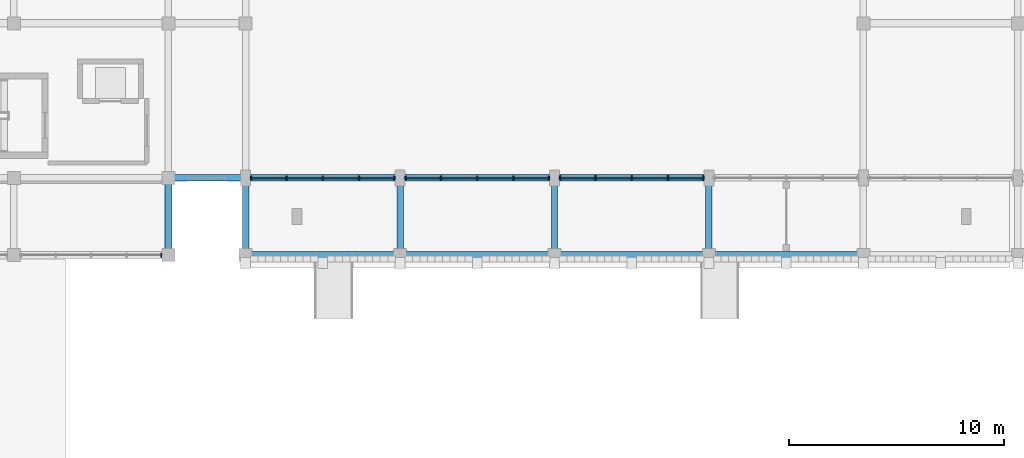
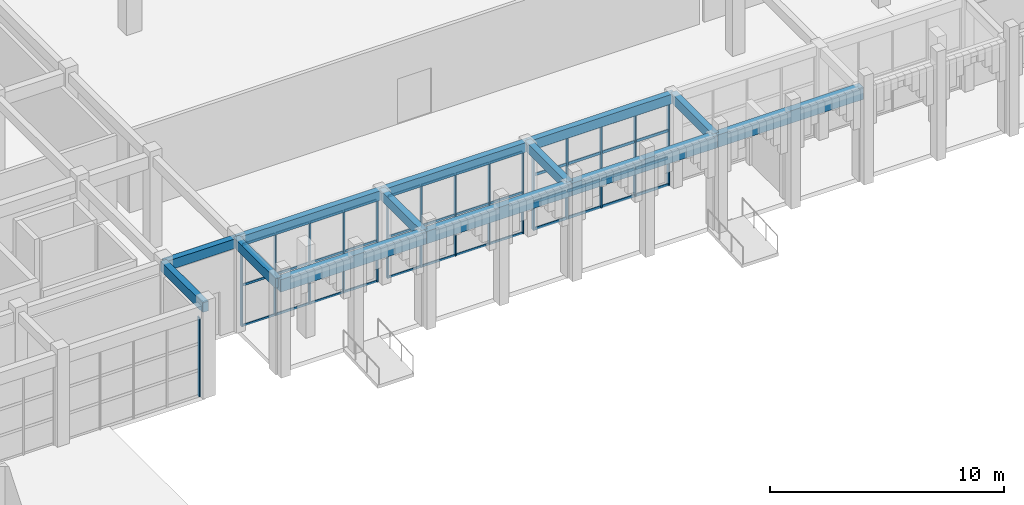
# One storey, part 12 of 72: 56 members, 13 beams, 4 elements without a shape of their own.
"""IFC4 building model written with IfcOpenShell, lengths in metres."""

from ifc_helpers import new_model, si_unit, direction, frame, origin, origin_2d, place, context, subcontext, project, spatial, rectangle, extrude, material, material_profile, profile_set, type_object, element, aggregate, save


model = new_model("IFC4")

# Units and contexts
model_context = context("Model", 3, precision=1e-05, world=origin(), true_north=direction((0.0, 1.0)))
body_context = subcontext(model_context, "Body", "Model", "MODEL_VIEW")
ifc_project = project(units=[si_unit("LENGTHUNIT", "METRE"), si_unit("AREAUNIT", "SQUARE_METRE"), si_unit("VOLUMEUNIT", "CUBIC_METRE"), si_unit("PLANEANGLEUNIT", "RADIAN"), si_unit("MASSUNIT", "GRAM", prefix="KILO")], contexts=[model_context])

# Site, building, storey
site_placement = place(None, origin())
site = spatial("IfcSite", under=ifc_project, at=site_placement, CompositionType="ELEMENT")
building_placement = place(site_placement, origin())
building = spatial("IfcBuilding", under=site, at=building_placement, Name="Nzembalo Square Collegiate School", CompositionType="ELEMENT")
storey_placement = place(building_placement, origin())
storey = spatial("IfcBuildingStorey", under=building, at=storey_placement, Name="L00", CompositionType="ELEMENT", Elevation=0.0)

# Beams
ifc_material_1 = material(Name="Concrete C35/45", Category="concrete")
ifc_material_profile_1 = material_profile(ifc_material_1, rectangle(XDim=0.35009765625, YDim=0.64990234375, at=origin_2d()), Name="RC 350x650")
ifc_profile_set_1 = profile_set([ifc_material_profile_1], Name="Concrete C35/45")
beam_type_1 = type_object("IfcBeamType", Name="B01", PredefinedType="BEAM", material=ifc_profile_set_1)
for number, where, z_axis, x_axis, name in (
    (1, (40.800048828125, 79.199951171875, 4.465087890625), (1.0, 0.0, 0.0), (0.0, 1.0, 0.0), "Beam B01 L00"),
    (2, (48.0, 79.199951171875, 4.465087890625), (1.0, 0.0, 0.0), (0.0, 1.0, 0.0), "Beam B01 L00"),
    (3, (55.199951171875, 79.199951171875, 4.465087890625), (1.0, 0.0, 0.0), (0.0, 1.0, 0.0), "Beam B01 L00"),
):
    element("IfcBeam", number, at=place(storey_placement, frame(where, z_axis=z_axis, x_axis=x_axis)), inside=storey, type_object=beam_type_1, Name=name, PredefinedType="BEAM", context=body_context, shape_type="SweptSolid", body=[
        extrude(rectangle(XDim=0.35009765625, YDim=0.64990234375, at=origin_2d()), origin(), (0.0, 0.0, 1.0), 7.199951171875),
    ])
beam_1_placement = place(storey_placement, frame((62.39990234375, 79.199951171875, 4.465087890625), z_axis=(1.0, 0.0, 0.0), x_axis=(0.0, 1.0, 0.0)))
element("IfcBeam", 4, at=beam_1_placement, inside=storey, type_object=beam_type_1, Name="Beam B01 L00", PredefinedType="BEAM", context=body_context, shape_type="SweptSolid", body=[
    extrude(rectangle(XDim=0.35009765625, YDim=0.64990234375, at=origin_2d()), origin(), (0.0, 0.0, 1.0), 7.2001953125),
])
ifc_material_2 = material(Name="Concrete C35/45", Category="concrete")
ifc_material_profile_2 = material_profile(ifc_material_2, rectangle(XDim=0.300048828125, YDim=0.5, at=origin_2d()), Name="RC 300x500")
ifc_profile_set_2 = profile_set([ifc_material_profile_2], Name="Concrete C35/45")
beam_type_2 = type_object("IfcBeamType", Name="B02", PredefinedType="BEAM", material=ifc_profile_set_2)
for number, where, z_axis, x_axis, name in (
    (5, (40.800048828125, 79.199951171875, 4.5400390625), (0.0, 1.0, 0.0), (-1.0, 0.0, 0.0), "Beam B02 L00"),
    (6, (48.0, 79.199951171875, 4.5400390625), (0.0, 1.0, 0.0), (-1.0, 0.0, 0.0), "Beam B02 L00"),
    (7, (55.199951171875, 79.199951171875, 4.5400390625), (0.0, 1.0, 0.0), (-1.0, 0.0, 0.0), "Beam B02 L00"),
    (8, (62.39990234375, 79.199951171875, 4.5400390625), (0.0, 1.0, 0.0), (-1.0, 0.0, 0.0), "Beam B02 L00"),
):
    element("IfcBeam", number, at=place(storey_placement, frame(where, z_axis=z_axis, x_axis=x_axis)), inside=storey, type_object=beam_type_2, Name=name, PredefinedType="BEAM", context=body_context, shape_type="SweptSolid", body=[
        extrude(rectangle(XDim=0.300048828125, YDim=0.5, at=origin_2d()), origin(), (0.0, 0.0, 1.0), 3.60009765625),
    ])
ifc_material_3 = material(Name="Concrete C35/45", Category="concrete")
ifc_material_profile_3 = material_profile(ifc_material_3, rectangle(XDim=0.300048828125, YDim=0.5, at=origin_2d()), Name="RC 300x500")
ifc_profile_set_3 = profile_set([ifc_material_profile_3], Name="Concrete C35/45")
beam_type_3 = type_object("IfcBeamType", Name="SP01", PredefinedType="SPANDREL", material=ifc_profile_set_3)
beam_2_placement = place(storey_placement, frame((37.199951171875, 82.800048828125, 4.5400390625), z_axis=(1.0, 0.0, 0.0), x_axis=(0.0, 1.0, 0.0)))
element("IfcBeam", 9, at=beam_2_placement, inside=storey, type_object=beam_type_3, Name="Beam SP01 L00", PredefinedType="SPANDREL", context=body_context, shape_type="SweptSolid", body=[
    extrude(rectangle(XDim=0.300048828125, YDim=0.5, at=origin_2d()), origin(), (0.0, 0.0, 1.0), 3.60009765625),
])
for number, where, z_axis, x_axis, name in (
    (10, (40.800048828125, 82.800048828125, 4.5400390625), (1.0, 0.0, 0.0), (0.0, 1.0, 0.0), "Beam SP01 L00"),
    (11, (48.0, 82.800048828125, 4.5400390625), (1.0, 0.0, 0.0), (0.0, 1.0, 0.0), "Beam SP01 L00"),
    (12, (55.199951171875, 82.800048828125, 4.5400390625), (1.0, 0.0, 0.0), (0.0, 1.0, 0.0), "Beam SP01 L00"),
):
    element("IfcBeam", number, at=place(storey_placement, frame(where, z_axis=z_axis, x_axis=x_axis)), inside=storey, type_object=beam_type_3, Name=name, PredefinedType="SPANDREL", context=body_context, shape_type="SweptSolid", body=[
        extrude(rectangle(XDim=0.300048828125, YDim=0.5, at=origin_2d()), origin(), (0.0, 0.0, 1.0), 7.199951171875),
    ])
beam_3_placement = place(storey_placement, frame((37.199951171875, 79.199951171875, 4.5400390625), z_axis=(0.0, 1.0, 0.0), x_axis=(-1.0, 0.0, 0.0)))
element("IfcBeam", 13, at=beam_3_placement, inside=storey, type_object=beam_type_3, Name="Beam SP01 L00", PredefinedType="SPANDREL", context=body_context, shape_type="SweptSolid", body=[
    extrude(rectangle(XDim=0.300048828125, YDim=0.5, at=origin_2d()), origin(), (0.0, 0.0, 1.0), 3.60009765625),
])

# Curtain wall, member
ifc_material_4 = material(Name="Aluminium 6060-T66", Category="aluminium")
curtain_wall_type_1 = type_object("IfcCurtainWallType", Name="CW-06", PredefinedType="USERDEFINED", material=ifc_material_4)
curtain_wall_1_placement = place(storey_placement, origin())
curtain_wall_1 = element("IfcCurtainWall", 14, at=curtain_wall_1_placement, inside=storey, type_object=curtain_wall_type_1, Name="Curtain wall CW-06 cw:L00:021", ObjectType="LANCET", PredefinedType="USERDEFINED")
ifc_material_5 = material(Name="Aluminium 6060-T66", Category="aluminium")
ifc_material_profile_4 = material_profile(ifc_material_5, rectangle(XDim=0.06005859375, YDim=0.179931640625, at=origin_2d()), Name="ALU M60x180")
ifc_profile_set_4 = profile_set([ifc_material_profile_4], Name="Aluminium 6060-T66")
member_type_1 = type_object("IfcMemberType", Name="ML01", PredefinedType="MULLION", material=ifc_profile_set_4)
member_1_placement = place(storey_placement, frame((36.867919921875, 79.199951171875, 0.0), z_axis=(0.0, 0.0, 1.0), x_axis=(1.0, 0.0, 0.0)))
member_1 = element("IfcMember", 15, at=member_1_placement, type_object=member_type_1, Name="ML01 mullion 5", PredefinedType="MULLION", context=body_context, shape_type="SweptSolid", body=[
    extrude(rectangle(XDim=0.06005859375, YDim=0.179931640625, at=origin_2d()), origin(), (0.0, 0.0, 1.0), 4.134033203125),
])
aggregate(curtain_wall_1, [member_1])

# Curtain wall, members
ifc_material_6 = material(Name="Aluminium 6060-T66", Category="aluminium")
curtain_wall_type_2 = type_object("IfcCurtainWallType", Name="CW-05", PredefinedType="USERDEFINED", material=ifc_material_6)
curtain_wall_2_placement = place(storey_placement, origin())
curtain_wall_2 = element("IfcCurtainWall", 16, at=curtain_wall_2_placement, inside=storey, type_object=curtain_wall_type_2, Name="Curtain wall CW-05 cw:L00:028", ObjectType="LANCET", PredefinedType="USERDEFINED")
member_2_placement = place(storey_placement, frame((55.45703125, 82.800048828125, 0.0), z_axis=(0.0, 0.0, 1.0), x_axis=(1.0, 0.0, 0.0)))
member_2 = element("IfcMember", 17, at=member_2_placement, type_object=member_type_1, Name="ML01 mullion 1", PredefinedType="MULLION", context=body_context, shape_type="SweptSolid", body=[
    extrude(rectangle(XDim=0.06005859375, YDim=0.179931640625, at=origin_2d()), origin(), (0.0, 0.0, 1.0), 4.283935546875),
])
member_3_placement = place(storey_placement, frame((57.113525390625, 82.800048828125, 0.0), z_axis=(0.0, 0.0, 1.0), x_axis=(1.0, 0.0, 0.0)))
member_3 = element("IfcMember", 18, at=member_3_placement, type_object=member_type_1, Name="ML01 mullion 2", PredefinedType="MULLION", context=body_context, shape_type="SweptSolid", body=[
    extrude(rectangle(XDim=0.06005859375, YDim=0.179931640625, at=origin_2d()), origin(), (0.0, 0.0, 1.0), 4.283935546875),
])
member_4_placement = place(storey_placement, frame((58.800048828125, 82.800048828125, 0.0), z_axis=(0.0, 0.0, 1.0), x_axis=(1.0, 0.0, 0.0)))
member_4 = element("IfcMember", 19, at=member_4_placement, type_object=member_type_1, Name="ML01 mullion 3", PredefinedType="MULLION", context=body_context, shape_type="SweptSolid", body=[
    extrude(rectangle(XDim=0.06005859375, YDim=0.179931640625, at=origin_2d()), origin(), (0.0, 0.0, 1.0), 4.283935546875),
])
member_5_placement = place(storey_placement, frame((60.486572265625, 82.800048828125, 0.0), z_axis=(0.0, 0.0, 1.0), x_axis=(1.0, 0.0, 0.0)))
member_5 = element("IfcMember", 20, at=member_5_placement, type_object=member_type_1, Name="ML01 mullion 4", PredefinedType="MULLION", context=body_context, shape_type="SweptSolid", body=[
    extrude(rectangle(XDim=0.06005859375, YDim=0.179931640625, at=origin_2d()), origin(), (0.0, 0.0, 1.0), 4.283935546875),
])
member_6_placement = place(storey_placement, frame((62.14306640625, 82.800048828125, 0.0), z_axis=(0.0, 0.0, 1.0), x_axis=(1.0, 0.0, 0.0)))
member_6 = element("IfcMember", 21, at=member_6_placement, type_object=member_type_1, Name="ML01 mullion 5", PredefinedType="MULLION", context=body_context, shape_type="SweptSolid", body=[
    extrude(rectangle(XDim=0.06005859375, YDim=0.179931640625, at=origin_2d()), origin(), (0.0, 0.0, 1.0), 4.283935546875),
])

ifc_material_7 = material(Name="Aluminium 6060-T66", Category="aluminium")
curtain_wall_type_3 = type_object("IfcCurtainWallType", Name="CW-03", PredefinedType="USERDEFINED", material=ifc_material_7)
curtain_wall_3_placement = place(storey_placement, origin())
curtain_wall_3 = element("IfcCurtainWall", 22, at=curtain_wall_3_placement, inside=storey, type_object=curtain_wall_type_3, Name="Curtain wall CW-03 cw:L00:026", ObjectType="UNITISED", PredefinedType="USERDEFINED")
ifc_material_8 = material(Name="Aluminium 6060-T66", Category="aluminium")
ifc_material_profile_5 = material_profile(ifc_material_8, rectangle(XDim=0.06005859375, YDim=0.14990234375, at=origin_2d()), Name="ALU M60x150")
ifc_profile_set_5 = profile_set([ifc_material_profile_5], Name="Aluminium 6060-T66")
member_type_2 = type_object("IfcMemberType", Name="ML02", PredefinedType="MULLION", material=ifc_profile_set_5)
member_7_placement = place(storey_placement, frame((41.056884765625, 82.800048828125, 0.0), z_axis=(0.0, 0.0, 1.0), x_axis=(1.0, 0.0, 0.0)))
member_7 = element("IfcMember", 23, at=member_7_placement, type_object=member_type_2, Name="ML02 mullion 1", PredefinedType="MULLION", context=body_context, shape_type="SweptSolid", body=[
    extrude(rectangle(XDim=0.06005859375, YDim=0.14990234375, at=origin_2d()), origin(), (0.0, 0.0, 1.0), 4.283935546875),
])
member_8_placement = place(storey_placement, frame((42.71337890625, 82.800048828125, 0.0), z_axis=(0.0, 0.0, 1.0), x_axis=(1.0, 0.0, 0.0)))
member_8 = element("IfcMember", 24, at=member_8_placement, type_object=member_type_2, Name="ML02 mullion 2", PredefinedType="MULLION", context=body_context, shape_type="SweptSolid", body=[
    extrude(rectangle(XDim=0.06005859375, YDim=0.14990234375, at=origin_2d()), origin(), (0.0, 0.0, 1.0), 4.283935546875),
])
member_9_placement = place(storey_placement, frame((44.39990234375, 82.800048828125, 0.0), z_axis=(0.0, 0.0, 1.0), x_axis=(1.0, 0.0, 0.0)))
member_9 = element("IfcMember", 25, at=member_9_placement, type_object=member_type_2, Name="ML02 mullion 3", PredefinedType="MULLION", context=body_context, shape_type="SweptSolid", body=[
    extrude(rectangle(XDim=0.06005859375, YDim=0.14990234375, at=origin_2d()), origin(), (0.0, 0.0, 1.0), 4.283935546875),
])
member_10_placement = place(storey_placement, frame((46.08642578125, 82.800048828125, 0.0), z_axis=(0.0, 0.0, 1.0), x_axis=(1.0, 0.0, 0.0)))
member_10 = element("IfcMember", 26, at=member_10_placement, type_object=member_type_2, Name="ML02 mullion 4", PredefinedType="MULLION", context=body_context, shape_type="SweptSolid", body=[
    extrude(rectangle(XDim=0.06005859375, YDim=0.14990234375, at=origin_2d()), origin(), (0.0, 0.0, 1.0), 4.283935546875),
])
member_11_placement = place(storey_placement, frame((47.742919921875, 82.800048828125, 0.0), z_axis=(0.0, 0.0, 1.0), x_axis=(1.0, 0.0, 0.0)))
member_11 = element("IfcMember", 27, at=member_11_placement, type_object=member_type_2, Name="ML02 mullion 5", PredefinedType="MULLION", context=body_context, shape_type="SweptSolid", body=[
    extrude(rectangle(XDim=0.06005859375, YDim=0.14990234375, at=origin_2d()), origin(), (0.0, 0.0, 1.0), 4.283935546875),
])

ifc_material_9 = material(Name="Aluminium 6060-T66", Category="aluminium")
curtain_wall_type_4 = type_object("IfcCurtainWallType", Name="CW-04", PredefinedType="USERDEFINED", material=ifc_material_9)
curtain_wall_4_placement = place(storey_placement, origin())
curtain_wall_4 = element("IfcCurtainWall", 28, at=curtain_wall_4_placement, inside=storey, type_object=curtain_wall_type_4, Name="Curtain wall CW-04 cw:L00:027", ObjectType="UNITISED", PredefinedType="USERDEFINED")
member_12_placement = place(storey_placement, frame((48.257080078125, 82.800048828125, 0.0), z_axis=(0.0, 0.0, 1.0), x_axis=(1.0, 0.0, 0.0)))
member_12 = element("IfcMember", 29, at=member_12_placement, type_object=member_type_2, Name="ML02 mullion 1", PredefinedType="MULLION", context=body_context, shape_type="SweptSolid", body=[
    extrude(rectangle(XDim=0.06005859375, YDim=0.14990234375, at=origin_2d()), origin(), (0.0, 0.0, 1.0), 4.283935546875),
])
member_13_placement = place(storey_placement, frame((49.91357421875, 82.800048828125, 0.0), z_axis=(0.0, 0.0, 1.0), x_axis=(1.0, 0.0, 0.0)))
member_13 = element("IfcMember", 30, at=member_13_placement, type_object=member_type_2, Name="ML02 mullion 2", PredefinedType="MULLION", context=body_context, shape_type="SweptSolid", body=[
    extrude(rectangle(XDim=0.06005859375, YDim=0.14990234375, at=origin_2d()), origin(), (0.0, 0.0, 1.0), 4.283935546875),
])
member_14_placement = place(storey_placement, frame((51.60009765625, 82.800048828125, 0.0), z_axis=(0.0, 0.0, 1.0), x_axis=(1.0, 0.0, 0.0)))
member_14 = element("IfcMember", 31, at=member_14_placement, type_object=member_type_2, Name="ML02 mullion 3", PredefinedType="MULLION", context=body_context, shape_type="SweptSolid", body=[
    extrude(rectangle(XDim=0.06005859375, YDim=0.14990234375, at=origin_2d()), origin(), (0.0, 0.0, 1.0), 4.283935546875),
])
member_15_placement = place(storey_placement, frame((53.28662109375, 82.800048828125, 0.0), z_axis=(0.0, 0.0, 1.0), x_axis=(1.0, 0.0, 0.0)))
member_15 = element("IfcMember", 32, at=member_15_placement, type_object=member_type_2, Name="ML02 mullion 4", PredefinedType="MULLION", context=body_context, shape_type="SweptSolid", body=[
    extrude(rectangle(XDim=0.06005859375, YDim=0.14990234375, at=origin_2d()), origin(), (0.0, 0.0, 1.0), 4.283935546875),
])
member_16_placement = place(storey_placement, frame((54.943115234375, 82.800048828125, 0.0), z_axis=(0.0, 0.0, 1.0), x_axis=(1.0, 0.0, 0.0)))
member_16 = element("IfcMember", 33, at=member_16_placement, type_object=member_type_2, Name="ML02 mullion 5", PredefinedType="MULLION", context=body_context, shape_type="SweptSolid", body=[
    extrude(rectangle(XDim=0.06005859375, YDim=0.14990234375, at=origin_2d()), origin(), (0.0, 0.0, 1.0), 4.283935546875),
])

# Member
ifc_material_10 = material(Name="Aluminium 6060-T66", Category="aluminium")
ifc_material_profile_6 = material_profile(ifc_material_10, rectangle(XDim=0.06005859375, YDim=0.139892578125, at=origin_2d()), Name="ALU T60x140")
ifc_profile_set_6 = profile_set([ifc_material_profile_6], Name="Aluminium 6060-T66")
member_type_3 = type_object("IfcMemberType", Name="TR01", PredefinedType="USERDEFINED", material=ifc_profile_set_6)
member_17_placement = place(storey_placement, frame((55.487060546875, 82.800048828125, 0.030029296875), z_axis=(1.0, 0.0, 0.0), x_axis=(0.0, 1.0, 0.0)))
member_17 = element("IfcMember", 34, at=member_17_placement, type_object=member_type_3, Name="TR01 transom 1-1", ObjectType="TRANSOM", PredefinedType="USERDEFINED", context=body_context, shape_type="SweptSolid", body=[
    extrude(rectangle(XDim=0.06005859375, YDim=0.139892578125, at=origin_2d()), origin(), (0.0, 0.0, 1.0), 1.596435546875),
])

member_18_placement = place(storey_placement, frame((57.1435546875, 82.800048828125, 0.030029296875), z_axis=(1.0, 0.0, 0.0), x_axis=(0.0, 1.0, 0.0)))
member_18 = element("IfcMember", 35, at=member_18_placement, type_object=member_type_3, Name="TR01 transom 1-2", ObjectType="TRANSOM", PredefinedType="USERDEFINED", context=body_context, shape_type="SweptSolid", body=[
    extrude(rectangle(XDim=0.06005859375, YDim=0.139892578125, at=origin_2d()), origin(), (0.0, 0.0, 1.0), 1.62646484375),
])

member_19_placement = place(storey_placement, frame((58.830078125, 82.800048828125, 0.030029296875), z_axis=(1.0, 0.0, 0.0), x_axis=(0.0, 1.0, 0.0)))
member_19 = element("IfcMember", 36, at=member_19_placement, type_object=member_type_3, Name="TR01 transom 1-3", ObjectType="TRANSOM", PredefinedType="USERDEFINED", context=body_context, shape_type="SweptSolid", body=[
    extrude(rectangle(XDim=0.06005859375, YDim=0.139892578125, at=origin_2d()), origin(), (0.0, 0.0, 1.0), 1.62646484375),
])

member_20_placement = place(storey_placement, frame((60.5166015625, 82.800048828125, 0.030029296875), z_axis=(1.0, 0.0, 0.0), x_axis=(0.0, 1.0, 0.0)))
member_20 = element("IfcMember", 37, at=member_20_placement, type_object=member_type_3, Name="TR01 transom 1-4", ObjectType="TRANSOM", PredefinedType="USERDEFINED", context=body_context, shape_type="SweptSolid", body=[
    extrude(rectangle(XDim=0.06005859375, YDim=0.139892578125, at=origin_2d()), origin(), (0.0, 0.0, 1.0), 1.596435546875),
])

member_21_placement = place(storey_placement, frame((55.487060546875, 82.800048828125, 1.427978515625), z_axis=(1.0, 0.0, 0.0), x_axis=(0.0, 1.0, 0.0)))
member_21 = element("IfcMember", 38, at=member_21_placement, type_object=member_type_3, Name="TR01 transom 2-1", ObjectType="TRANSOM", PredefinedType="USERDEFINED", context=body_context, shape_type="SweptSolid", body=[
    extrude(rectangle(XDim=0.06005859375, YDim=0.139892578125, at=origin_2d()), origin(), (0.0, 0.0, 1.0), 1.596435546875),
])

member_22_placement = place(storey_placement, frame((57.1435546875, 82.800048828125, 1.427978515625), z_axis=(1.0, 0.0, 0.0), x_axis=(0.0, 1.0, 0.0)))
member_22 = element("IfcMember", 39, at=member_22_placement, type_object=member_type_3, Name="TR01 transom 2-2", ObjectType="TRANSOM", PredefinedType="USERDEFINED", context=body_context, shape_type="SweptSolid", body=[
    extrude(rectangle(XDim=0.06005859375, YDim=0.139892578125, at=origin_2d()), origin(), (0.0, 0.0, 1.0), 1.62646484375),
])

member_23_placement = place(storey_placement, frame((58.830078125, 82.800048828125, 1.427978515625), z_axis=(1.0, 0.0, 0.0), x_axis=(0.0, 1.0, 0.0)))
member_23 = element("IfcMember", 40, at=member_23_placement, type_object=member_type_3, Name="TR01 transom 2-3", ObjectType="TRANSOM", PredefinedType="USERDEFINED", context=body_context, shape_type="SweptSolid", body=[
    extrude(rectangle(XDim=0.06005859375, YDim=0.139892578125, at=origin_2d()), origin(), (0.0, 0.0, 1.0), 1.62646484375),
])

member_24_placement = place(storey_placement, frame((60.5166015625, 82.800048828125, 1.427978515625), z_axis=(1.0, 0.0, 0.0), x_axis=(0.0, 1.0, 0.0)))
member_24 = element("IfcMember", 41, at=member_24_placement, type_object=member_type_3, Name="TR01 transom 2-4", ObjectType="TRANSOM", PredefinedType="USERDEFINED", context=body_context, shape_type="SweptSolid", body=[
    extrude(rectangle(XDim=0.06005859375, YDim=0.139892578125, at=origin_2d()), origin(), (0.0, 0.0, 1.0), 1.596435546875),
])

member_25_placement = place(storey_placement, frame((55.487060546875, 82.800048828125, 2.85595703125), z_axis=(1.0, 0.0, 0.0), x_axis=(0.0, 1.0, 0.0)))
member_25 = element("IfcMember", 42, at=member_25_placement, type_object=member_type_3, Name="TR01 transom 3-1", ObjectType="TRANSOM", PredefinedType="USERDEFINED", context=body_context, shape_type="SweptSolid", body=[
    extrude(rectangle(XDim=0.06005859375, YDim=0.139892578125, at=origin_2d()), origin(), (0.0, 0.0, 1.0), 1.596435546875),
])

member_26_placement = place(storey_placement, frame((57.1435546875, 82.800048828125, 2.85595703125), z_axis=(1.0, 0.0, 0.0), x_axis=(0.0, 1.0, 0.0)))
member_26 = element("IfcMember", 43, at=member_26_placement, type_object=member_type_3, Name="TR01 transom 3-2", ObjectType="TRANSOM", PredefinedType="USERDEFINED", context=body_context, shape_type="SweptSolid", body=[
    extrude(rectangle(XDim=0.06005859375, YDim=0.139892578125, at=origin_2d()), origin(), (0.0, 0.0, 1.0), 1.62646484375),
])

member_27_placement = place(storey_placement, frame((58.830078125, 82.800048828125, 2.85595703125), z_axis=(1.0, 0.0, 0.0), x_axis=(0.0, 1.0, 0.0)))
member_27 = element("IfcMember", 44, at=member_27_placement, type_object=member_type_3, Name="TR01 transom 3-3", ObjectType="TRANSOM", PredefinedType="USERDEFINED", context=body_context, shape_type="SweptSolid", body=[
    extrude(rectangle(XDim=0.06005859375, YDim=0.139892578125, at=origin_2d()), origin(), (0.0, 0.0, 1.0), 1.62646484375),
])

member_28_placement = place(storey_placement, frame((60.5166015625, 82.800048828125, 2.85595703125), z_axis=(1.0, 0.0, 0.0), x_axis=(0.0, 1.0, 0.0)))
member_28 = element("IfcMember", 45, at=member_28_placement, type_object=member_type_3, Name="TR01 transom 3-4", ObjectType="TRANSOM", PredefinedType="USERDEFINED", context=body_context, shape_type="SweptSolid", body=[
    extrude(rectangle(XDim=0.06005859375, YDim=0.139892578125, at=origin_2d()), origin(), (0.0, 0.0, 1.0), 1.596435546875),
])

member_29_placement = place(storey_placement, frame((55.487060546875, 82.800048828125, 4.25390625), z_axis=(1.0, 0.0, 0.0), x_axis=(0.0, 1.0, 0.0)))
member_29 = element("IfcMember", 46, at=member_29_placement, type_object=member_type_3, Name="TR01 transom 4-1", ObjectType="TRANSOM", PredefinedType="USERDEFINED", context=body_context, shape_type="SweptSolid", body=[
    extrude(rectangle(XDim=0.06005859375, YDim=0.139892578125, at=origin_2d()), origin(), (0.0, 0.0, 1.0), 1.596435546875),
])

member_30_placement = place(storey_placement, frame((57.1435546875, 82.800048828125, 4.25390625), z_axis=(1.0, 0.0, 0.0), x_axis=(0.0, 1.0, 0.0)))
member_30 = element("IfcMember", 47, at=member_30_placement, type_object=member_type_3, Name="TR01 transom 4-2", ObjectType="TRANSOM", PredefinedType="USERDEFINED", context=body_context, shape_type="SweptSolid", body=[
    extrude(rectangle(XDim=0.06005859375, YDim=0.139892578125, at=origin_2d()), origin(), (0.0, 0.0, 1.0), 1.62646484375),
])

member_31_placement = place(storey_placement, frame((58.830078125, 82.800048828125, 4.25390625), z_axis=(1.0, 0.0, 0.0), x_axis=(0.0, 1.0, 0.0)))
member_31 = element("IfcMember", 48, at=member_31_placement, type_object=member_type_3, Name="TR01 transom 4-3", ObjectType="TRANSOM", PredefinedType="USERDEFINED", context=body_context, shape_type="SweptSolid", body=[
    extrude(rectangle(XDim=0.06005859375, YDim=0.139892578125, at=origin_2d()), origin(), (0.0, 0.0, 1.0), 1.62646484375),
])

member_32_placement = place(storey_placement, frame((60.5166015625, 82.800048828125, 4.25390625), z_axis=(1.0, 0.0, 0.0), x_axis=(0.0, 1.0, 0.0)))
member_32 = element("IfcMember", 49, at=member_32_placement, type_object=member_type_3, Name="TR01 transom 4-4", ObjectType="TRANSOM", PredefinedType="USERDEFINED", context=body_context, shape_type="SweptSolid", body=[
    extrude(rectangle(XDim=0.06005859375, YDim=0.139892578125, at=origin_2d()), origin(), (0.0, 0.0, 1.0), 1.596435546875),
])

aggregate(curtain_wall_2, [member_2, member_3, member_4, member_5, member_6, member_17, member_18, member_19, member_20, member_21, member_22, member_23, member_24, member_25, member_26, member_27, member_28, member_29, member_30, member_31, member_32])

ifc_material_11 = material(Name="Aluminium 6060-T66", Category="aluminium")
ifc_material_profile_7 = material_profile(ifc_material_11, rectangle(XDim=0.06005859375, YDim=0.110107421875, at=origin_2d()), Name="ALU T60x110")
ifc_profile_set_7 = profile_set([ifc_material_profile_7], Name="Aluminium 6060-T66")
member_type_4 = type_object("IfcMemberType", Name="TR02", PredefinedType="USERDEFINED", material=ifc_profile_set_7)
member_33_placement = place(storey_placement, frame((41.0869140625, 82.800048828125, 0.030029296875), z_axis=(1.0, 0.0, 0.0), x_axis=(0.0, 1.0, 0.0)))
member_33 = element("IfcMember", 50, at=member_33_placement, type_object=member_type_4, Name="TR02 transom 1-1", ObjectType="TRANSOM", PredefinedType="USERDEFINED", context=body_context, shape_type="SweptSolid", body=[
    extrude(rectangle(XDim=0.06005859375, YDim=0.110107421875, at=origin_2d()), origin(), (0.0, 0.0, 1.0), 1.5966796875),
])

member_34_placement = place(storey_placement, frame((42.743408203125, 82.800048828125, 0.030029296875), z_axis=(1.0, 0.0, 0.0), x_axis=(0.0, 1.0, 0.0)))
member_34 = element("IfcMember", 51, at=member_34_placement, type_object=member_type_4, Name="TR02 transom 1-2", ObjectType="TRANSOM", PredefinedType="USERDEFINED", context=body_context, shape_type="SweptSolid", body=[
    extrude(rectangle(XDim=0.06005859375, YDim=0.110107421875, at=origin_2d()), origin(), (0.0, 0.0, 1.0), 1.626708984375),
])

member_35_placement = place(storey_placement, frame((44.429931640625, 82.800048828125, 0.030029296875), z_axis=(1.0, 0.0, 0.0), x_axis=(0.0, 1.0, 0.0)))
member_35 = element("IfcMember", 52, at=member_35_placement, type_object=member_type_4, Name="TR02 transom 1-3", ObjectType="TRANSOM", PredefinedType="USERDEFINED", context=body_context, shape_type="SweptSolid", body=[
    extrude(rectangle(XDim=0.06005859375, YDim=0.110107421875, at=origin_2d()), origin(), (0.0, 0.0, 1.0), 1.62646484375),
])

member_36_placement = place(storey_placement, frame((46.116455078125, 82.800048828125, 0.030029296875), z_axis=(1.0, 0.0, 0.0), x_axis=(0.0, 1.0, 0.0)))
member_36 = element("IfcMember", 53, at=member_36_placement, type_object=member_type_4, Name="TR02 transom 1-4", ObjectType="TRANSOM", PredefinedType="USERDEFINED", context=body_context, shape_type="SweptSolid", body=[
    extrude(rectangle(XDim=0.06005859375, YDim=0.110107421875, at=origin_2d()), origin(), (0.0, 0.0, 1.0), 1.596435546875),
])

member_37_placement = place(storey_placement, frame((41.0869140625, 82.800048828125, 2.14208984375), z_axis=(1.0, 0.0, 0.0), x_axis=(0.0, 1.0, 0.0)))
member_37 = element("IfcMember", 54, at=member_37_placement, type_object=member_type_4, Name="TR02 transom 2-1", ObjectType="TRANSOM", PredefinedType="USERDEFINED", context=body_context, shape_type="SweptSolid", body=[
    extrude(rectangle(XDim=0.06005859375, YDim=0.110107421875, at=origin_2d()), origin(), (0.0, 0.0, 1.0), 1.5966796875),
])

member_38_placement = place(storey_placement, frame((42.743408203125, 82.800048828125, 2.14208984375), z_axis=(1.0, 0.0, 0.0), x_axis=(0.0, 1.0, 0.0)))
member_38 = element("IfcMember", 55, at=member_38_placement, type_object=member_type_4, Name="TR02 transom 2-2", ObjectType="TRANSOM", PredefinedType="USERDEFINED", context=body_context, shape_type="SweptSolid", body=[
    extrude(rectangle(XDim=0.06005859375, YDim=0.110107421875, at=origin_2d()), origin(), (0.0, 0.0, 1.0), 1.626708984375),
])

member_39_placement = place(storey_placement, frame((44.429931640625, 82.800048828125, 2.14208984375), z_axis=(1.0, 0.0, 0.0), x_axis=(0.0, 1.0, 0.0)))
member_39 = element("IfcMember", 56, at=member_39_placement, type_object=member_type_4, Name="TR02 transom 2-3", ObjectType="TRANSOM", PredefinedType="USERDEFINED", context=body_context, shape_type="SweptSolid", body=[
    extrude(rectangle(XDim=0.06005859375, YDim=0.110107421875, at=origin_2d()), origin(), (0.0, 0.0, 1.0), 1.62646484375),
])

member_40_placement = place(storey_placement, frame((46.116455078125, 82.800048828125, 2.14208984375), z_axis=(1.0, 0.0, 0.0), x_axis=(0.0, 1.0, 0.0)))
member_40 = element("IfcMember", 57, at=member_40_placement, type_object=member_type_4, Name="TR02 transom 2-4", ObjectType="TRANSOM", PredefinedType="USERDEFINED", context=body_context, shape_type="SweptSolid", body=[
    extrude(rectangle(XDim=0.06005859375, YDim=0.110107421875, at=origin_2d()), origin(), (0.0, 0.0, 1.0), 1.596435546875),
])

member_41_placement = place(storey_placement, frame((41.0869140625, 82.800048828125, 4.25390625), z_axis=(1.0, 0.0, 0.0), x_axis=(0.0, 1.0, 0.0)))
member_41 = element("IfcMember", 58, at=member_41_placement, type_object=member_type_4, Name="TR02 transom 3-1", ObjectType="TRANSOM", PredefinedType="USERDEFINED", context=body_context, shape_type="SweptSolid", body=[
    extrude(rectangle(XDim=0.06005859375, YDim=0.110107421875, at=origin_2d()), origin(), (0.0, 0.0, 1.0), 1.5966796875),
])

member_42_placement = place(storey_placement, frame((42.743408203125, 82.800048828125, 4.25390625), z_axis=(1.0, 0.0, 0.0), x_axis=(0.0, 1.0, 0.0)))
member_42 = element("IfcMember", 59, at=member_42_placement, type_object=member_type_4, Name="TR02 transom 3-2", ObjectType="TRANSOM", PredefinedType="USERDEFINED", context=body_context, shape_type="SweptSolid", body=[
    extrude(rectangle(XDim=0.06005859375, YDim=0.110107421875, at=origin_2d()), origin(), (0.0, 0.0, 1.0), 1.626708984375),
])

member_43_placement = place(storey_placement, frame((44.429931640625, 82.800048828125, 4.25390625), z_axis=(1.0, 0.0, 0.0), x_axis=(0.0, 1.0, 0.0)))
member_43 = element("IfcMember", 60, at=member_43_placement, type_object=member_type_4, Name="TR02 transom 3-3", ObjectType="TRANSOM", PredefinedType="USERDEFINED", context=body_context, shape_type="SweptSolid", body=[
    extrude(rectangle(XDim=0.06005859375, YDim=0.110107421875, at=origin_2d()), origin(), (0.0, 0.0, 1.0), 1.62646484375),
])

member_44_placement = place(storey_placement, frame((46.116455078125, 82.800048828125, 4.25390625), z_axis=(1.0, 0.0, 0.0), x_axis=(0.0, 1.0, 0.0)))
member_44 = element("IfcMember", 61, at=member_44_placement, type_object=member_type_4, Name="TR02 transom 3-4", ObjectType="TRANSOM", PredefinedType="USERDEFINED", context=body_context, shape_type="SweptSolid", body=[
    extrude(rectangle(XDim=0.06005859375, YDim=0.110107421875, at=origin_2d()), origin(), (0.0, 0.0, 1.0), 1.596435546875),
])

aggregate(curtain_wall_3, [member_7, member_8, member_9, member_10, member_11, member_33, member_34, member_35, member_36, member_37, member_38, member_39, member_40, member_41, member_42, member_43, member_44])

member_45_placement = place(storey_placement, frame((48.287109375, 82.800048828125, 0.030029296875), z_axis=(1.0, 0.0, 0.0), x_axis=(0.0, 1.0, 0.0)))
member_45 = element("IfcMember", 62, at=member_45_placement, type_object=member_type_4, Name="TR02 transom 1-1", ObjectType="TRANSOM", PredefinedType="USERDEFINED", context=body_context, shape_type="SweptSolid", body=[
    extrude(rectangle(XDim=0.06005859375, YDim=0.110107421875, at=origin_2d()), origin(), (0.0, 0.0, 1.0), 1.596435546875),
])

member_46_placement = place(storey_placement, frame((49.943603515625, 82.800048828125, 0.030029296875), z_axis=(1.0, 0.0, 0.0), x_axis=(0.0, 1.0, 0.0)))
member_46 = element("IfcMember", 63, at=member_46_placement, type_object=member_type_4, Name="TR02 transom 1-2", ObjectType="TRANSOM", PredefinedType="USERDEFINED", context=body_context, shape_type="SweptSolid", body=[
    extrude(rectangle(XDim=0.06005859375, YDim=0.110107421875, at=origin_2d()), origin(), (0.0, 0.0, 1.0), 1.62646484375),
])

member_47_placement = place(storey_placement, frame((51.6298828125, 82.800048828125, 0.030029296875), z_axis=(1.0, 0.0, 0.0), x_axis=(0.0, 1.0, 0.0)))
member_47 = element("IfcMember", 64, at=member_47_placement, type_object=member_type_4, Name="TR02 transom 1-3", ObjectType="TRANSOM", PredefinedType="USERDEFINED", context=body_context, shape_type="SweptSolid", body=[
    extrude(rectangle(XDim=0.06005859375, YDim=0.110107421875, at=origin_2d()), origin(), (0.0, 0.0, 1.0), 1.626708984375),
])

member_48_placement = place(storey_placement, frame((53.31640625, 82.800048828125, 0.030029296875), z_axis=(1.0, 0.0, 0.0), x_axis=(0.0, 1.0, 0.0)))
member_48 = element("IfcMember", 65, at=member_48_placement, type_object=member_type_4, Name="TR02 transom 1-4", ObjectType="TRANSOM", PredefinedType="USERDEFINED", context=body_context, shape_type="SweptSolid", body=[
    extrude(rectangle(XDim=0.06005859375, YDim=0.110107421875, at=origin_2d()), origin(), (0.0, 0.0, 1.0), 1.5966796875),
])

member_49_placement = place(storey_placement, frame((48.287109375, 82.800048828125, 2.14208984375), z_axis=(1.0, 0.0, 0.0), x_axis=(0.0, 1.0, 0.0)))
member_49 = element("IfcMember", 66, at=member_49_placement, type_object=member_type_4, Name="TR02 transom 2-1", ObjectType="TRANSOM", PredefinedType="USERDEFINED", context=body_context, shape_type="SweptSolid", body=[
    extrude(rectangle(XDim=0.06005859375, YDim=0.110107421875, at=origin_2d()), origin(), (0.0, 0.0, 1.0), 1.596435546875),
])

member_50_placement = place(storey_placement, frame((49.943603515625, 82.800048828125, 2.14208984375), z_axis=(1.0, 0.0, 0.0), x_axis=(0.0, 1.0, 0.0)))
member_50 = element("IfcMember", 67, at=member_50_placement, type_object=member_type_4, Name="TR02 transom 2-2", ObjectType="TRANSOM", PredefinedType="USERDEFINED", context=body_context, shape_type="SweptSolid", body=[
    extrude(rectangle(XDim=0.06005859375, YDim=0.110107421875, at=origin_2d()), origin(), (0.0, 0.0, 1.0), 1.62646484375),
])

member_51_placement = place(storey_placement, frame((51.6298828125, 82.800048828125, 2.14208984375), z_axis=(1.0, 0.0, 0.0), x_axis=(0.0, 1.0, 0.0)))
member_51 = element("IfcMember", 68, at=member_51_placement, type_object=member_type_4, Name="TR02 transom 2-3", ObjectType="TRANSOM", PredefinedType="USERDEFINED", context=body_context, shape_type="SweptSolid", body=[
    extrude(rectangle(XDim=0.06005859375, YDim=0.110107421875, at=origin_2d()), origin(), (0.0, 0.0, 1.0), 1.626708984375),
])

member_52_placement = place(storey_placement, frame((53.31640625, 82.800048828125, 2.14208984375), z_axis=(1.0, 0.0, 0.0), x_axis=(0.0, 1.0, 0.0)))
member_52 = element("IfcMember", 69, at=member_52_placement, type_object=member_type_4, Name="TR02 transom 2-4", ObjectType="TRANSOM", PredefinedType="USERDEFINED", context=body_context, shape_type="SweptSolid", body=[
    extrude(rectangle(XDim=0.06005859375, YDim=0.110107421875, at=origin_2d()), origin(), (0.0, 0.0, 1.0), 1.5966796875),
])

member_53_placement = place(storey_placement, frame((48.287109375, 82.800048828125, 4.25390625), z_axis=(1.0, 0.0, 0.0), x_axis=(0.0, 1.0, 0.0)))
member_53 = element("IfcMember", 70, at=member_53_placement, type_object=member_type_4, Name="TR02 transom 3-1", ObjectType="TRANSOM", PredefinedType="USERDEFINED", context=body_context, shape_type="SweptSolid", body=[
    extrude(rectangle(XDim=0.06005859375, YDim=0.110107421875, at=origin_2d()), origin(), (0.0, 0.0, 1.0), 1.596435546875),
])

member_54_placement = place(storey_placement, frame((49.943603515625, 82.800048828125, 4.25390625), z_axis=(1.0, 0.0, 0.0), x_axis=(0.0, 1.0, 0.0)))
member_54 = element("IfcMember", 71, at=member_54_placement, type_object=member_type_4, Name="TR02 transom 3-2", ObjectType="TRANSOM", PredefinedType="USERDEFINED", context=body_context, shape_type="SweptSolid", body=[
    extrude(rectangle(XDim=0.06005859375, YDim=0.110107421875, at=origin_2d()), origin(), (0.0, 0.0, 1.0), 1.62646484375),
])

member_55_placement = place(storey_placement, frame((51.6298828125, 82.800048828125, 4.25390625), z_axis=(1.0, 0.0, 0.0), x_axis=(0.0, 1.0, 0.0)))
member_55 = element("IfcMember", 72, at=member_55_placement, type_object=member_type_4, Name="TR02 transom 3-3", ObjectType="TRANSOM", PredefinedType="USERDEFINED", context=body_context, shape_type="SweptSolid", body=[
    extrude(rectangle(XDim=0.06005859375, YDim=0.110107421875, at=origin_2d()), origin(), (0.0, 0.0, 1.0), 1.626708984375),
])

member_56_placement = place(storey_placement, frame((53.31640625, 82.800048828125, 4.25390625), z_axis=(1.0, 0.0, 0.0), x_axis=(0.0, 1.0, 0.0)))
member_56 = element("IfcMember", 73, at=member_56_placement, type_object=member_type_4, Name="TR02 transom 3-4", ObjectType="TRANSOM", PredefinedType="USERDEFINED", context=body_context, shape_type="SweptSolid", body=[
    extrude(rectangle(XDim=0.06005859375, YDim=0.110107421875, at=origin_2d()), origin(), (0.0, 0.0, 1.0), 1.5966796875),
])

aggregate(curtain_wall_4, [member_12, member_13, member_14, member_15, member_16, member_45, member_46, member_47, member_48, member_49, member_50, member_51, member_52, member_53, member_54, member_55, member_56])

save(model, "model.ifc")
